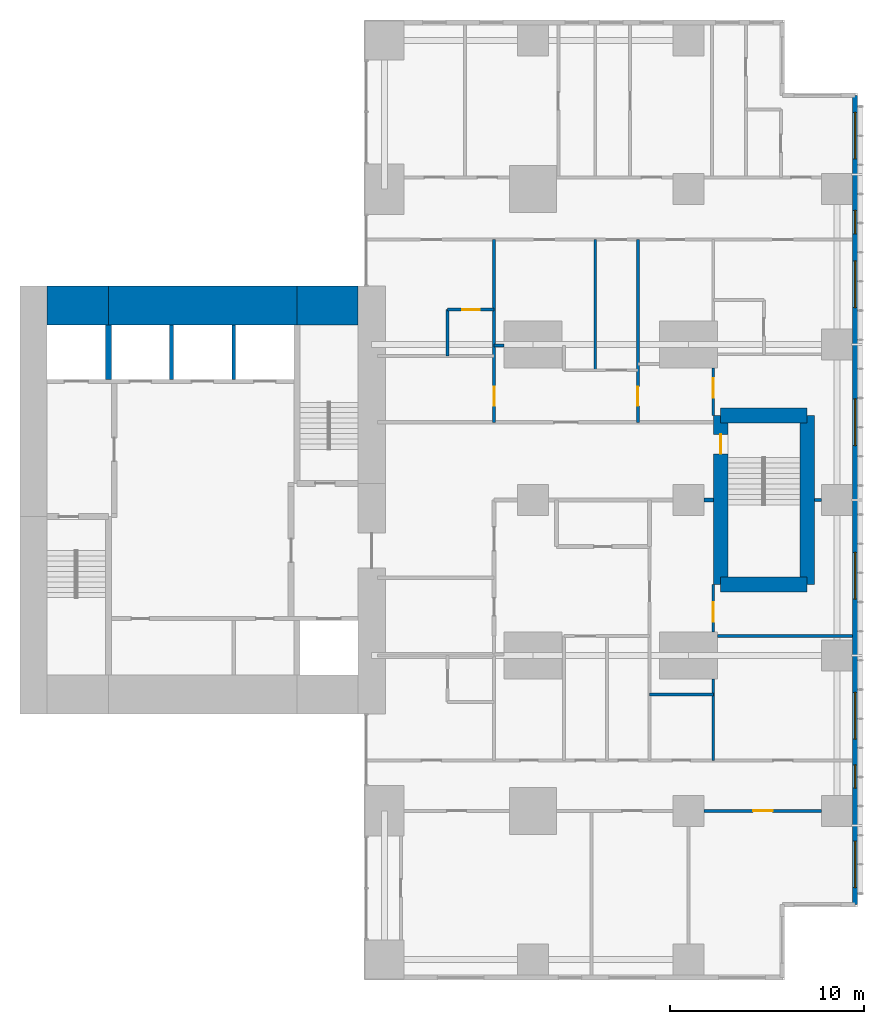
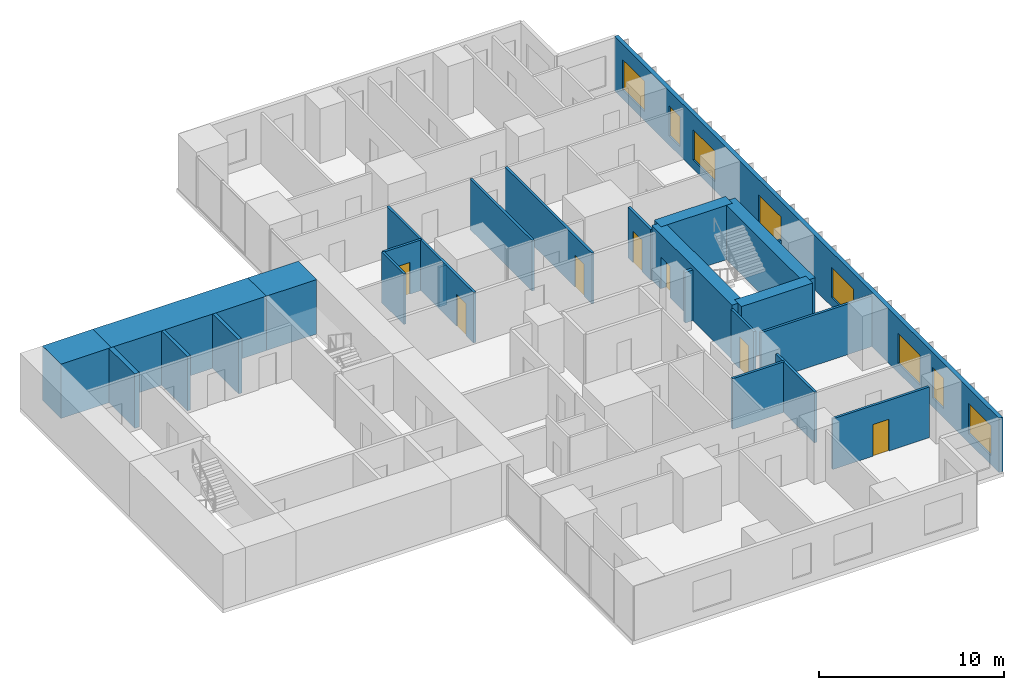
# One storey, part 9 of 12: 25 walls, 8 windows, 7 doors, 15 openings.
"""IFC4 building model written with IfcOpenShell, lengths in metres."""

from ifc_helpers import new_model, si_unit, direction, frame, frame_2d, origin, place, context, subcontext, project, spatial, rectangle, extrude, material, layer, layer_set, type_object, element, fill, save


model = new_model("IFC4")

# Units and contexts
model_context = context("Model", 3, precision=1e-05, world=origin(), true_north=direction((0.0, 1.0)))
body_context = subcontext(model_context, "Body", "Model", "MODEL_VIEW")
ifc_project = project(units=[si_unit("LENGTHUNIT", "METRE"), si_unit("AREAUNIT", "SQUARE_METRE"), si_unit("VOLUMEUNIT", "CUBIC_METRE"), si_unit("PLANEANGLEUNIT", "RADIAN"), si_unit("MASSUNIT", "GRAM", prefix="KILO")], contexts=[model_context])

# Site, building, storey
site_placement = place(None, origin())
site = spatial("IfcSite", under=ifc_project, at=site_placement, CompositionType="ELEMENT")
building_placement = place(site_placement, origin())
building = spatial("IfcBuilding", under=site, at=building_placement, Name="Cleftline Residences", CompositionType="ELEMENT")
storey_placement = place(building_placement, frame((0.0, 0.0, 270.0)))
storey = spatial("IfcBuildingStorey", under=building, at=storey_placement, Name="L71", CompositionType="ELEMENT", Elevation=270.0)

# Walls
ifc_material_1 = material(Name="Concrete B70", Category="concrete")
ifc_layer_1 = layer(ifc_material_1, 2.0)
ifc_layer_set_1 = layer_set([ifc_layer_1], Name="CORE WALL 2000")
wall_type_1 = type_object("IfcWallType", Name="CORE WALL 2000", PredefinedType="SHEAR", material=ifc_layer_set_1)
wall_1_placement = place(storey_placement, frame((25.0, 34.0, 0.0), z_axis=(0.0, 0.0, 1.0), x_axis=(1.0, 0.0, 0.0)))
element("IfcWall", 1, at=wall_1_placement, inside=storey, type_object=wall_type_1, Name="Core wall N1", PredefinedType="SHEAR", context=body_context, shape_type="SweptSolid", body=[
    extrude(rectangle(XDim=3.14990234375, YDim=2.0, at=frame_2d((1.574951171875, 0.0))), origin(), (0.0, 0.0, 1.0), 3.60009765625),
])
wall_2_placement = place(storey_placement, frame((28.14990234375, 34.0, 0.0), z_axis=(0.0, 0.0, 1.0), x_axis=(1.0, 0.0, 0.0)))
element("IfcWall", 2, at=wall_2_placement, inside=storey, type_object=wall_type_1, Name="Core wall N2", PredefinedType="SHEAR", context=body_context, shape_type="SweptSolid", body=[
    extrude(rectangle(XDim=9.7001953125, YDim=2.0, at=frame_2d((4.85009765625, 0.0))), origin(), (0.0, 0.0, 1.0), 3.60009765625),
])
wall_3_placement = place(storey_placement, frame((37.85009765625, 34.0, 0.0), z_axis=(0.0, 0.0, 1.0), x_axis=(1.0, 0.0, 0.0)))
element("IfcWall", 3, at=wall_3_placement, inside=storey, type_object=wall_type_1, Name="Core wall N3", PredefinedType="SHEAR", context=body_context, shape_type="SweptSolid", body=[
    extrude(rectangle(XDim=3.14990234375, YDim=2.0, at=frame_2d((1.574951171875, 0.0))), origin(), (0.0, 0.0, 1.0), 3.60009765625),
])
ifc_material_2 = material(Name="Concrete B70", Category="concrete")
ifc_layer_2 = layer(ifc_material_2, 0.300048828125)
ifc_layer_set_2 = layer_set([ifc_layer_2], Name="CORE WALL 300")
wall_type_2 = type_object("IfcWallType", Name="CORE WALL 300", PredefinedType="SHEAR", material=ifc_layer_set_2)
wall_4_placement = place(storey_placement, frame((28.14990234375, 30.199951171875, 0.0), z_axis=(0.0, 0.0, 1.0), x_axis=(0.0, 1.0, 0.0)))
element("IfcWall", 4, at=wall_4_placement, inside=storey, type_object=wall_type_2, Name="Lift shaft wall", PredefinedType="SHEAR", context=body_context, shape_type="SweptSolid", body=[
    extrude(rectangle(XDim=2.800048828125, YDim=0.300048828125, at=frame_2d((1.39990234375, 0.0))), origin(), (0.0, 0.0, 1.0), 3.60009765625),
])

# Wall, openings, windows
ifc_material_3 = material(Name="Rendered reinforced concrete blockwork", Category="masonry")
ifc_layer_3 = layer(ifc_material_3, 0.25)
ifc_layer_set_3 = layer_set([ifc_layer_3], Name="EXTERNAL WALL 250")
wall_type_3 = type_object("IfcWallType", Name="EXTERNAL WALL 250", PredefinedType="SOLIDWALL", material=ifc_layer_set_3)
wall_5_placement = place(storey_placement, frame((66.574951171875, 3.175048828125, 0.0), z_axis=(0.0, 0.0, 1.0), x_axis=(0.0, 1.0, 0.0)))
wall_5 = element("IfcWall", 5, at=wall_5_placement, inside=storey, type_object=wall_type_3, Name="External wall", PredefinedType="SOLIDWALL", context=body_context, shape_type="SweptSolid", body=[
    extrude(rectangle(XDim=41.64990234375, YDim=0.25, at=frame_2d((20.824951171875, 0.0))), origin(), (0.0, 0.0, 1.0), 3.60009765625),
])
opening_1_placement = place(wall_5_placement, frame((0.875, 0.0, 0.60009765625)))
opening_1 = element("IfcOpeningElement", 6, at=opening_1_placement, cuts=wall_5, Name="Opening W6", PredefinedType="OPENING", context=body_context, shape_type="SweptSolid", body=[
    extrude(rectangle(XDim=2.39990234375, YDim=2.0, at=frame_2d((1.199951171875, 1.0))), frame((0.0, 0.135009765625, 0.0), z_axis=(0.0, -1.0, 0.0), x_axis=(1.0, 0.0, 0.0)), (0.0, 0.0, 1.0), 0.27001953125),
])
opening_2_placement = place(wall_5_placement, frame((6.0, 0.0, 0.60009765625)))
opening_2 = element("IfcOpeningElement", 7, at=opening_2_placement, cuts=wall_5, Name="Opening W8", PredefinedType="OPENING", context=body_context, shape_type="SweptSolid", body=[
    extrude(rectangle(XDim=1.199951171875, YDim=2.0, at=frame_2d((0.60009765625, 1.0))), frame((0.0, 0.135009765625, 0.0), z_axis=(0.0, -1.0, 0.0), x_axis=(1.0, 0.0, 0.0)), (0.0, 0.0, 1.0), 0.27001953125),
])
opening_3_placement = place(wall_5_placement, frame((8.52490234375, 0.0, 0.60009765625)))
opening_3 = element("IfcOpeningElement", 8, at=opening_3_placement, cuts=wall_5, Name="Opening W6", PredefinedType="OPENING", context=body_context, shape_type="SweptSolid", body=[
    extrude(rectangle(XDim=2.39990234375, YDim=2.0, at=frame_2d((1.199951171875, 1.0))), frame((0.0, 0.135009765625, 0.0), z_axis=(0.0, -1.0, 0.0), x_axis=(1.0, 0.0, 0.0)), (0.0, 0.0, 1.0), 0.27001953125),
])
opening_4_placement = place(wall_5_placement, frame((15.72509765625, 0.0, 0.60009765625)))
opening_4 = element("IfcOpeningElement", 9, at=opening_4_placement, cuts=wall_5, Name="Opening W6", PredefinedType="OPENING", context=body_context, shape_type="SweptSolid", body=[
    extrude(rectangle(XDim=2.39990234375, YDim=2.0, at=frame_2d((1.199951171875, 1.0))), frame((0.0, 0.135009765625, 0.0), z_axis=(0.0, -1.0, 0.0), x_axis=(1.0, 0.0, 0.0)), (0.0, 0.0, 1.0), 0.27001953125),
])
opening_5_placement = place(wall_5_placement, frame((23.625, 0.0, 0.60009765625)))
opening_5 = element("IfcOpeningElement", 10, at=opening_5_placement, cuts=wall_5, Name="Opening W6", PredefinedType="OPENING", context=body_context, shape_type="SweptSolid", body=[
    extrude(rectangle(XDim=2.39990234375, YDim=2.0, at=frame_2d((1.199951171875, 1.0))), frame((0.0, 0.135009765625, 0.0), z_axis=(0.0, -1.0, 0.0), x_axis=(1.0, 0.0, 0.0)), (0.0, 0.0, 1.0), 0.27001953125),
])
opening_6_placement = place(wall_5_placement, frame((30.72509765625, 0.0, 0.60009765625)))
opening_6 = element("IfcOpeningElement", 11, at=opening_6_placement, cuts=wall_5, Name="Opening W6", PredefinedType="OPENING", context=body_context, shape_type="SweptSolid", body=[
    extrude(rectangle(XDim=2.39990234375, YDim=2.0, at=frame_2d((1.199951171875, 1.0))), frame((0.0, 0.135009765625, 0.0), z_axis=(0.0, -1.0, 0.0), x_axis=(1.0, 0.0, 0.0)), (0.0, 0.0, 1.0), 0.27001953125),
])
opening_7_placement = place(wall_5_placement, frame((34.52490234375, 0.0, 0.60009765625)))
opening_7 = element("IfcOpeningElement", 12, at=opening_7_placement, cuts=wall_5, Name="Opening W8", PredefinedType="OPENING", context=body_context, shape_type="SweptSolid", body=[
    extrude(rectangle(XDim=1.199951171875, YDim=2.0, at=frame_2d((0.60009765625, 1.0))), frame((0.0, 0.135009765625, 0.0), z_axis=(0.0, -1.0, 0.0), x_axis=(1.0, 0.0, 0.0)), (0.0, 0.0, 1.0), 0.27001953125),
])
opening_8_placement = place(wall_5_placement, frame((38.375, 0.0, 0.60009765625)))
opening_8 = element("IfcOpeningElement", 13, at=opening_8_placement, cuts=wall_5, Name="Opening W6", PredefinedType="OPENING", context=body_context, shape_type="SweptSolid", body=[
    extrude(rectangle(XDim=2.39990234375, YDim=2.0, at=frame_2d((1.199951171875, 1.0))), frame((0.0, 0.135009765625, 0.0), z_axis=(0.0, -1.0, 0.0), x_axis=(1.0, 0.0, 0.0)), (0.0, 0.0, 1.0), 0.27001953125),
])
ifc_material_4 = material(Name="Aluminium frame, clear double glazing", Category="aluminium")
window_type_1 = type_object("IfcWindowType", Name="WINDOW 1200X2000", PartitioningType="DOUBLE_PANEL_VERTICAL", PredefinedType="WINDOW", material=ifc_material_4)
window_1_placement = place(opening_2_placement, origin())
window_1 = element("IfcWindow", 14, at=window_1_placement, inside=storey, type_object=window_type_1, Name="Window", OverallHeight=2.0, OverallWidth=1.199951171875, PartitioningType="SINGLE_PANEL", PredefinedType="WINDOW", context=body_context, shape_type="SweptSolid", body=[
    extrude(rectangle(XDim=1.199951171875, YDim=2.0, at=frame_2d((0.60009765625, 1.0))), frame((0.0, 0.030029296875, 0.0), z_axis=(0.0, -1.0, 0.0), x_axis=(1.0, 0.0, 0.0)), (0.0, 0.0, 1.0), 0.06005859375),
])
fill(opening_2, window_1)
window_2_placement = place(opening_7_placement, origin())
window_2 = element("IfcWindow", 15, at=window_2_placement, inside=storey, type_object=window_type_1, Name="Window", OverallHeight=2.0, OverallWidth=1.199951171875, PartitioningType="SINGLE_PANEL", PredefinedType="WINDOW", context=body_context, shape_type="SweptSolid", body=[
    extrude(rectangle(XDim=1.199951171875, YDim=2.0, at=frame_2d((0.60009765625, 1.0))), frame((0.0, 0.030029296875, 0.0), z_axis=(0.0, -1.0, 0.0), x_axis=(1.0, 0.0, 0.0)), (0.0, 0.0, 1.0), 0.06005859375),
])
fill(opening_7, window_2)
ifc_material_5 = material(Name="Aluminium frame, clear double glazing", Category="aluminium")
window_type_2 = type_object("IfcWindowType", Name="WINDOW 2400X2000", PartitioningType="DOUBLE_PANEL_VERTICAL", PredefinedType="WINDOW", material=ifc_material_5)
window_3_placement = place(opening_1_placement, origin())
window_3 = element("IfcWindow", 16, at=window_3_placement, inside=storey, type_object=window_type_2, Name="Window", OverallHeight=2.0, OverallWidth=2.39990234375, PartitioningType="SINGLE_PANEL", PredefinedType="WINDOW", context=body_context, shape_type="SweptSolid", body=[
    extrude(rectangle(XDim=2.39990234375, YDim=2.0, at=frame_2d((1.199951171875, 1.0))), frame((0.0, 0.030029296875, 0.0), z_axis=(0.0, -1.0, 0.0), x_axis=(1.0, 0.0, 0.0)), (0.0, 0.0, 1.0), 0.06005859375),
])
fill(opening_1, window_3)
window_4_placement = place(opening_3_placement, origin())
window_4 = element("IfcWindow", 17, at=window_4_placement, inside=storey, type_object=window_type_2, Name="Window", OverallHeight=2.0, OverallWidth=2.39990234375, PartitioningType="SINGLE_PANEL", PredefinedType="WINDOW", context=body_context, shape_type="SweptSolid", body=[
    extrude(rectangle(XDim=2.39990234375, YDim=2.0, at=frame_2d((1.199951171875, 1.0))), frame((0.0, 0.030029296875, 0.0), z_axis=(0.0, -1.0, 0.0), x_axis=(1.0, 0.0, 0.0)), (0.0, 0.0, 1.0), 0.06005859375),
])
fill(opening_3, window_4)
window_5_placement = place(opening_4_placement, origin())
window_5 = element("IfcWindow", 18, at=window_5_placement, inside=storey, type_object=window_type_2, Name="Window", OverallHeight=2.0, OverallWidth=2.39990234375, PartitioningType="SINGLE_PANEL", PredefinedType="WINDOW", context=body_context, shape_type="SweptSolid", body=[
    extrude(rectangle(XDim=2.39990234375, YDim=2.0, at=frame_2d((1.199951171875, 1.0))), frame((0.0, 0.030029296875, 0.0), z_axis=(0.0, -1.0, 0.0), x_axis=(1.0, 0.0, 0.0)), (0.0, 0.0, 1.0), 0.06005859375),
])
fill(opening_4, window_5)
window_6_placement = place(opening_5_placement, origin())
window_6 = element("IfcWindow", 19, at=window_6_placement, inside=storey, type_object=window_type_2, Name="Window", OverallHeight=2.0, OverallWidth=2.39990234375, PartitioningType="SINGLE_PANEL", PredefinedType="WINDOW", context=body_context, shape_type="SweptSolid", body=[
    extrude(rectangle(XDim=2.39990234375, YDim=2.0, at=frame_2d((1.199951171875, 1.0))), frame((0.0, 0.030029296875, 0.0), z_axis=(0.0, -1.0, 0.0), x_axis=(1.0, 0.0, 0.0)), (0.0, 0.0, 1.0), 0.06005859375),
])
fill(opening_5, window_6)
window_7_placement = place(opening_6_placement, origin())
window_7 = element("IfcWindow", 20, at=window_7_placement, inside=storey, type_object=window_type_2, Name="Window", OverallHeight=2.0, OverallWidth=2.39990234375, PartitioningType="SINGLE_PANEL", PredefinedType="WINDOW", context=body_context, shape_type="SweptSolid", body=[
    extrude(rectangle(XDim=2.39990234375, YDim=2.0, at=frame_2d((1.199951171875, 1.0))), frame((0.0, 0.030029296875, 0.0), z_axis=(0.0, -1.0, 0.0), x_axis=(1.0, 0.0, 0.0)), (0.0, 0.0, 1.0), 0.06005859375),
])
fill(opening_6, window_7)
window_8_placement = place(opening_8_placement, origin())
window_8 = element("IfcWindow", 21, at=window_8_placement, inside=storey, type_object=window_type_2, Name="Window", OverallHeight=2.0, OverallWidth=2.39990234375, PartitioningType="SINGLE_PANEL", PredefinedType="WINDOW", context=body_context, shape_type="SweptSolid", body=[
    extrude(rectangle(XDim=2.39990234375, YDim=2.0, at=frame_2d((1.199951171875, 1.0))), frame((0.0, 0.030029296875, 0.0), z_axis=(0.0, -1.0, 0.0), x_axis=(1.0, 0.0, 0.0)), (0.0, 0.0, 1.0), 0.06005859375),
])
fill(opening_8, window_8)

# Wall
ifc_material_6 = material(Name="Concrete blockwork, fire rated", Category="masonry")
ifc_layer_4 = layer(ifc_material_6, 0.199951171875)
ifc_layer_set_4 = layer_set([ifc_layer_4], Name="FIRE WALL 200")
wall_type_4 = type_object("IfcWallType", Name="FIRE WALL 200", PredefinedType="PARTITIONING", material=ifc_layer_set_4)
wall_6_placement = place(storey_placement, frame((58.800048828125, 24.0, 0.0), z_axis=(0.0, 0.0, 1.0), x_axis=(1.0, 0.0, 0.0)))
element("IfcWall", 22, at=wall_6_placement, inside=storey, type_object=wall_type_4, Name="Fire separating wall", PredefinedType="PARTITIONING", context=body_context, shape_type="SweptSolid", body=[
    extrude(rectangle(XDim=0.474853515625, YDim=0.199951171875, at=frame_2d((0.2373046875, 0.0))), origin(), (0.0, 0.0, 1.0), 3.35009765625),
])

# Wall, opening, door
ifc_material_7 = material(Name="Gypsum board on steel studs", Category="steel")
ifc_layer_5 = layer(ifc_material_7, 0.14990234375)
ifc_layer_set_5 = layer_set([ifc_layer_5], Name="PARTITION 150")
wall_type_5 = type_object("IfcWallType", Name="PARTITION 150", PredefinedType="PARTITIONING", material=ifc_layer_set_5)
wall_7_placement = place(storey_placement, frame((58.800048828125, 8.0, 0.0), z_axis=(0.0, 0.0, 1.0), x_axis=(1.0, 0.0, 0.0)))
wall_7 = element("IfcWall", 23, at=wall_7_placement, inside=storey, type_object=wall_type_5, Name="Partition", PredefinedType="PARTITIONING", context=body_context, shape_type="SweptSolid", body=[
    extrude(rectangle(XDim=6.050048828125, YDim=0.14990234375, at=frame_2d((3.02490234375, 0.0))), origin(), (0.0, 0.0, 1.0), 3.35009765625),
])
opening_9_placement = place(wall_7_placement, frame((2.52490234375, 0.0, 0.0)))
opening_9 = element("IfcOpeningElement", 24, at=opening_9_placement, cuts=wall_7, Name="Opening D2", PredefinedType="OPENING", context=body_context, shape_type="SweptSolid", body=[
    extrude(rectangle(XDim=1.0, YDim=2.10009765625, at=frame_2d((0.5, 1.050048828125))), frame((0.0, 0.0849609375, 0.0), z_axis=(0.0, -1.0, 0.0), x_axis=(1.0, 0.0, 0.0)), (0.0, 0.0, 1.0), 0.169921875),
])
ifc_material_8 = material(Name="Timber veneer on solid core", Category="wood")
door_type_1 = type_object("IfcDoorType", Name="DOOR 1000X2100", OperationType="SINGLE_SWING_LEFT", PredefinedType="DOOR", material=ifc_material_8)
door_1_placement = place(opening_9_placement, origin())
door_1 = element("IfcDoor", 25, at=door_1_placement, inside=storey, type_object=door_type_1, Name="Door to formal dining room", OperationType="SINGLE_SWING_LEFT", OverallHeight=2.10009765625, OverallWidth=1.0, PredefinedType="DOOR", context=body_context, shape_type="SweptSolid", body=[
    extrude(rectangle(XDim=1.0, YDim=2.10009765625, at=frame_2d((0.5, 1.050048828125))), frame((0.0, 0.02490234375, 0.0), z_axis=(0.0, -1.0, 0.0), x_axis=(1.0, 0.0, 0.0)), (0.0, 0.0, 1.0), 0.050048828125),
])
fill(opening_9, door_1)

# Walls
wall_8_placement = place(storey_placement, frame((56.0, 14.0, 0.0), z_axis=(0.0, 0.0, 1.0), x_axis=(1.0, 0.0, 0.0)))
element("IfcWall", 26, at=wall_8_placement, inside=storey, type_object=wall_type_5, Name="Partition", PredefinedType="PARTITIONING", context=body_context, shape_type="SweptSolid", body=[
    extrude(rectangle(XDim=3.27490234375, YDim=0.14990234375, at=frame_2d((1.637451171875, 0.0))), origin(), (0.0, 0.0, 1.0), 3.35009765625),
])
wall_9_placement = place(storey_placement, frame((59.5, 17.0, 0.0), z_axis=(0.0, 0.0, 1.0), x_axis=(1.0, 0.0, 0.0)))
element("IfcWall", 27, at=wall_9_placement, inside=storey, type_object=wall_type_5, Name="Partition", PredefinedType="PARTITIONING", context=body_context, shape_type="SweptSolid", body=[
    extrude(rectangle(XDim=6.949951171875, YDim=0.14990234375, at=frame_2d((3.47509765625, 0.0))), origin(), (0.0, 0.0, 1.0), 3.35009765625),
])
wall_10_placement = place(storey_placement, frame((64.47509765625, 24.0, 0.0), z_axis=(0.0, 0.0, 1.0), x_axis=(1.0, 0.0, 0.0)))
element("IfcWall", 28, at=wall_10_placement, inside=storey, type_object=wall_type_5, Name="Partition", PredefinedType="PARTITIONING", context=body_context, shape_type="SweptSolid", body=[
    extrude(rectangle(XDim=0.375, YDim=0.14990234375, at=frame_2d((0.1875, 0.0))), origin(), (0.0, 0.0, 1.0), 3.35009765625),
])
wall_11_placement = place(storey_placement, frame((48.0, 31.949951171875, 0.0), z_axis=(0.0, 0.0, 1.0), x_axis=(1.0, 0.0, 0.0)))
element("IfcWall", 29, at=wall_11_placement, inside=storey, type_object=wall_type_5, Name="Partition", PredefinedType="PARTITIONING", context=body_context, shape_type="SweptSolid", body=[
    extrude(rectangle(XDim=0.5, YDim=0.14990234375, at=frame_2d((0.25, 0.0))), origin(), (0.0, 0.0, 1.0), 2.634033203125),
])

# Wall, opening, door
wall_12_placement = place(storey_placement, frame((45.60009765625, 33.800048828125, 0.0), z_axis=(0.0, 0.0, 1.0), x_axis=(1.0, 0.0, 0.0)))
wall_12 = element("IfcWall", 30, at=wall_12_placement, inside=storey, type_object=wall_type_5, Name="Partition", PredefinedType="PARTITIONING", context=body_context, shape_type="SweptSolid", body=[
    extrude(rectangle(XDim=2.39990234375, YDim=0.14990234375, at=frame_2d((1.199951171875, 0.0))), origin(), (0.0, 0.0, 1.0), 3.35009765625),
])
opening_10_placement = place(wall_12_placement, frame((0.75, 0.0, 0.0)))
opening_10 = element("IfcOpeningElement", 31, at=opening_10_placement, cuts=wall_12, Name="Opening D1", PredefinedType="OPENING", context=body_context, shape_type="SweptSolid", body=[
    extrude(rectangle(XDim=0.89990234375, YDim=2.10009765625, at=frame_2d((0.449951171875, 1.050048828125))), frame((0.0, 0.0849609375, 0.0), z_axis=(0.0, -1.0, 0.0), x_axis=(1.0, 0.0, 0.0)), (0.0, 0.0, 1.0), 0.169921875),
])
ifc_material_9 = material(Name="Timber veneer on solid core", Category="wood")
door_type_2 = type_object("IfcDoorType", Name="DOOR 900X2100", OperationType="SINGLE_SWING_LEFT", PredefinedType="DOOR", material=ifc_material_9)
door_2_placement = place(opening_10_placement, origin())
door_2 = element("IfcDoor", 32, at=door_2_placement, inside=storey, type_object=door_type_2, Name="Door to staff shower room", OperationType="SINGLE_SWING_LEFT", OverallHeight=2.10009765625, OverallWidth=0.89990234375, PredefinedType="DOOR", context=body_context, shape_type="SweptSolid", body=[
    extrude(rectangle(XDim=0.89990234375, YDim=2.10009765625, at=frame_2d((0.449951171875, 1.050048828125))), frame((0.0, 0.02490234375, 0.0), z_axis=(0.0, -1.0, 0.0), x_axis=(1.0, 0.0, 0.0)), (0.0, 0.0, 1.0), 0.050048828125),
])
fill(opening_10, door_2)

# Wall
wall_13_placement = place(storey_placement, frame((45.60009765625, 31.39990234375, 0.0), z_axis=(0.0, 0.0, 1.0), x_axis=(0.0, 1.0, 0.0)))
element("IfcWall", 33, at=wall_13_placement, inside=storey, type_object=wall_type_5, Name="Partition", PredefinedType="PARTITIONING", context=body_context, shape_type="SweptSolid", body=[
    extrude(rectangle(XDim=2.400146484375, YDim=0.14990234375, at=frame_2d((1.2001953125, 0.0))), origin(), (0.0, 0.0, 1.0), 3.35009765625),
])

# Wall, opening, door
wall_14_placement = place(storey_placement, frame((48.0, 28.0, 0.0), z_axis=(0.0, 0.0, 1.0), x_axis=(0.0, 1.0, 0.0)))
wall_14 = element("IfcWall", 34, at=wall_14_placement, inside=storey, type_object=wall_type_5, Name="Partition", PredefinedType="PARTITIONING", context=body_context, shape_type="SweptSolid", body=[
    extrude(rectangle(XDim=9.39990234375, YDim=0.14990234375, at=frame_2d((4.699951171875, 0.0))), origin(), (0.0, 0.0, 1.0), 3.35009765625),
])
opening_11_placement = place(wall_14_placement, frame((0.83740234375, 0.0, 0.0)))
opening_11 = element("IfcOpeningElement", 35, at=opening_11_placement, cuts=wall_14, Name="Opening D2", PredefinedType="OPENING", context=body_context, shape_type="SweptSolid", body=[
    extrude(rectangle(XDim=1.0, YDim=2.10009765625, at=frame_2d((0.5, 1.050048828125))), frame((0.0, 0.0849609375, 0.0), z_axis=(0.0, -1.0, 0.0), x_axis=(1.0, 0.0, 0.0)), (0.0, 0.0, 1.0), 0.169921875),
])
door_3_placement = place(opening_11_placement, origin())
door_3 = element("IfcDoor", 36, at=door_3_placement, inside=storey, type_object=door_type_1, Name="Door to morning kitchen", OperationType="SINGLE_SWING_RIGHT", OverallHeight=2.10009765625, OverallWidth=1.0, PredefinedType="DOOR", context=body_context, shape_type="SweptSolid", body=[
    extrude(rectangle(XDim=1.0, YDim=2.10009765625, at=frame_2d((0.5, 1.050048828125))), frame((0.0, 0.02490234375, 0.0), z_axis=(0.0, -1.0, 0.0), x_axis=(1.0, 0.0, 0.0)), (0.0, 0.0, 1.0), 0.050048828125),
])
fill(opening_11, door_3)

# Wall
wall_15_placement = place(storey_placement, frame((53.199951171875, 30.675048828125, 0.0), z_axis=(0.0, 0.0, 1.0), x_axis=(0.0, 1.0, 0.0)))
element("IfcWall", 37, at=wall_15_placement, inside=storey, type_object=wall_type_5, Name="Partition", PredefinedType="PARTITIONING", context=body_context, shape_type="SweptSolid", body=[
    extrude(rectangle(XDim=6.724853515625, YDim=0.14990234375, at=frame_2d((3.3623046875, 0.0))), origin(), (0.0, 0.0, 1.0), 3.35009765625),
])

# Wall, opening, door
wall_16_placement = place(storey_placement, frame((55.39990234375, 28.0, 0.0), z_axis=(0.0, 0.0, 1.0), x_axis=(0.0, 1.0, 0.0)))
wall_16 = element("IfcWall", 38, at=wall_16_placement, inside=storey, type_object=wall_type_5, Name="Partition", PredefinedType="PARTITIONING", context=body_context, shape_type="SweptSolid", body=[
    extrude(rectangle(XDim=9.39990234375, YDim=0.14990234375, at=frame_2d((4.699951171875, 0.0))), origin(), (0.0, 0.0, 1.0), 3.35009765625),
])
opening_12_placement = place(wall_16_placement, frame((0.83740234375, 0.0, 0.0)))
opening_12 = element("IfcOpeningElement", 39, at=opening_12_placement, cuts=wall_16, Name="Opening D2F30", PredefinedType="OPENING", context=body_context, shape_type="SweptSolid", body=[
    extrude(rectangle(XDim=1.0, YDim=2.10009765625, at=frame_2d((0.5, 1.050048828125))), frame((0.0, 0.0849609375, 0.0), z_axis=(0.0, -1.0, 0.0), x_axis=(1.0, 0.0, 0.0)), (0.0, 0.0, 1.0), 0.169921875),
])
ifc_material_10 = material(Name="Timber veneer on solid core", Category="wood")
door_type_3 = type_object("IfcDoorType", Name="DOOR 1000X2100 EI 30", OperationType="SINGLE_SWING_LEFT", PredefinedType="DOOR", material=ifc_material_10)
door_4_placement = place(opening_12_placement, origin())
door_4 = element("IfcDoor", 40, at=door_4_placement, inside=storey, type_object=door_type_3, Name="Door to residence lobby (service)", OperationType="SINGLE_SWING_RIGHT", OverallHeight=2.10009765625, OverallWidth=1.0, PredefinedType="DOOR", context=body_context, shape_type="SweptSolid", body=[
    extrude(rectangle(XDim=1.0, YDim=2.10009765625, at=frame_2d((0.5, 1.050048828125))), frame((0.0, 0.02490234375, 0.0), z_axis=(0.0, -1.0, 0.0), x_axis=(1.0, 0.0, 0.0)), (0.0, 0.0, 1.0), 0.050048828125),
])
fill(opening_12, door_4)

# Wall
wall_17_placement = place(storey_placement, frame((59.27490234375, 10.60009765625, 0.0), z_axis=(0.0, 0.0, 1.0), x_axis=(0.0, 1.0, 0.0)))
element("IfcWall", 41, at=wall_17_placement, inside=storey, type_object=wall_type_5, Name="Partition", PredefinedType="PARTITIONING", context=body_context, shape_type="SweptSolid", body=[
    extrude(rectangle(XDim=4.199951171875, YDim=0.14990234375, at=frame_2d((2.10009765625, 0.0))), origin(), (0.0, 0.0, 1.0), 3.35009765625),
])

# Wall, opening, door
wall_18_placement = place(storey_placement, frame((59.27490234375, 17.199951171875, 0.0), z_axis=(0.0, 0.0, 1.0), x_axis=(0.0, 1.0, 0.0)))
wall_18 = element("IfcWall", 42, at=wall_18_placement, inside=storey, type_object=wall_type_5, Name="Partition", PredefinedType="PARTITIONING", context=body_context, shape_type="SweptSolid", body=[
    extrude(rectangle(XDim=2.449951171875, YDim=0.14990234375, at=frame_2d((1.22509765625, 0.0))), origin(), (0.0, 0.0, 1.0), 3.35009765625),
])
opening_13_placement = place(wall_18_placement, frame((0.53759765625, 0.0, 0.0)))
opening_13 = element("IfcOpeningElement", 43, at=opening_13_placement, cuts=wall_18, Name="Opening D2", PredefinedType="OPENING", context=body_context, shape_type="SweptSolid", body=[
    extrude(rectangle(XDim=1.0, YDim=2.10009765625, at=frame_2d((0.5, 1.050048828125))), frame((0.0, 0.0849609375, 0.0), z_axis=(0.0, -1.0, 0.0), x_axis=(1.0, 0.0, 0.0)), (0.0, 0.0, 1.0), 0.169921875),
])
door_5_placement = place(opening_13_placement, origin())
door_5 = element("IfcDoor", 44, at=door_5_placement, inside=storey, type_object=door_type_1, Name="Door to winter garden", OperationType="SINGLE_SWING_RIGHT", OverallHeight=2.10009765625, OverallWidth=1.0, PredefinedType="DOOR", context=body_context, shape_type="SweptSolid", body=[
    extrude(rectangle(XDim=1.0, YDim=2.10009765625, at=frame_2d((0.5, 1.050048828125))), frame((0.0, 0.02490234375, 0.0), z_axis=(0.0, -1.0, 0.0), x_axis=(1.0, 0.0, 0.0)), (0.0, 0.0, 1.0), 0.050048828125),
])
fill(opening_13, door_5)

wall_19_placement = place(storey_placement, frame((59.27490234375, 28.35009765625, 0.0), z_axis=(0.0, 0.0, 1.0), x_axis=(0.0, 1.0, 0.0)))
wall_19 = element("IfcWall", 45, at=wall_19_placement, inside=storey, type_object=wall_type_5, Name="Partition", PredefinedType="PARTITIONING", context=body_context, shape_type="SweptSolid", body=[
    extrude(rectangle(XDim=2.449951171875, YDim=0.14990234375, at=frame_2d((1.22509765625, 0.0))), origin(), (0.0, 0.0, 1.0), 3.35009765625),
])
opening_14_placement = place(wall_19_placement, frame((0.91259765625, 0.0, 0.0)))
opening_14 = element("IfcOpeningElement", 46, at=opening_14_placement, cuts=wall_19, Name="Opening D2", PredefinedType="OPENING", context=body_context, shape_type="SweptSolid", body=[
    extrude(rectangle(XDim=1.0, YDim=2.10009765625, at=frame_2d((0.5, 1.050048828125))), frame((0.0, 0.0849609375, 0.0), z_axis=(0.0, -1.0, 0.0), x_axis=(1.0, 0.0, 0.0)), (0.0, 0.0, 1.0), 0.169921875),
])
door_6_placement = place(opening_14_placement, origin())
door_6 = element("IfcDoor", 47, at=door_6_placement, inside=storey, type_object=door_type_1, Name="Door to winter garden", OperationType="SINGLE_SWING_LEFT", OverallHeight=2.10009765625, OverallWidth=1.0, PredefinedType="DOOR", context=body_context, shape_type="SweptSolid", body=[
    extrude(rectangle(XDim=1.0, YDim=2.10009765625, at=frame_2d((0.5, 1.050048828125))), frame((0.0, 0.02490234375, 0.0), z_axis=(0.0, -1.0, 0.0), x_axis=(1.0, 0.0, 0.0)), (0.0, 0.0, 1.0), 0.050048828125),
])
fill(opening_14, door_6)

# Walls
ifc_material_11 = material(Name="Concrete blockwork, fire rated", Category="masonry")
ifc_layer_6 = layer(ifc_material_11, 0.199951171875)
ifc_layer_set_6 = layer_set([ifc_layer_6], Name="SHAFT WALL 200")
wall_type_6 = type_object("IfcWallType", Name="SHAFT WALL 200", PredefinedType="PARTITIONING", material=ifc_layer_set_6)
for number, where, z_axis, x_axis, name in (
    (48, (31.39990234375, 30.199951171875, 0.0), (0.0, 0.0, 1.0), (0.0, 1.0, 0.0), "Lift shaft wall"),
    (49, (34.60009765625, 30.199951171875, 0.0), (0.0, 0.0, 1.0), (0.0, 1.0, 0.0), "Lift shaft wall"),
):
    element("IfcWall", number, at=place(storey_placement, frame(where, z_axis=z_axis, x_axis=x_axis)), inside=storey, type_object=wall_type_6, Name=name, PredefinedType="PARTITIONING", context=body_context, shape_type="SweptSolid", body=[
        extrude(rectangle(XDim=2.800048828125, YDim=0.199951171875, at=frame_2d((1.39990234375, 0.0))), origin(), (0.0, 0.0, 1.0), 3.60009765625),
    ])
ifc_material_12 = material(Name="Concrete B70", Category="concrete")
ifc_layer_7 = layer(ifc_material_12, 0.75)
ifc_layer_set_7 = layer_set([ifc_layer_7], Name="SHEAR WALL 750")
wall_type_7 = type_object("IfcWallType", Name="SHEAR WALL 750", PredefinedType="SHEAR", material=ifc_layer_set_7)
wall_20_placement = place(storey_placement, frame((59.64990234375, 19.64990234375, 0.0), z_axis=(0.0, 0.0, 1.0), x_axis=(1.0, 0.0, 0.0)))
element("IfcWall", 50, at=wall_20_placement, inside=storey, type_object=wall_type_7, Name="Wing shear wall", PredefinedType="SHEAR", context=body_context, shape_type="SweptSolid", body=[
    extrude(rectangle(XDim=4.4501953125, YDim=0.75, at=frame_2d((2.22509765625, 0.0))), origin(), (0.0, 0.0, 1.0), 3.60009765625),
])
wall_21_placement = place(storey_placement, frame((64.10009765625, 19.64990234375, 0.0), z_axis=(0.0, 0.0, 1.0), x_axis=(0.0, 1.0, 0.0)))
element("IfcWall", 51, at=wall_21_placement, inside=storey, type_object=wall_type_7, Name="Wing shear wall", PredefinedType="SHEAR", context=body_context, shape_type="SweptSolid", body=[
    extrude(rectangle(XDim=8.7001953125, YDim=0.75, at=frame_2d((4.35009765625, 0.0))), origin(), (0.0, 0.0, 1.0), 3.60009765625),
])
wall_22_placement = place(storey_placement, frame((64.10009765625, 28.35009765625, 0.0), z_axis=(0.0, 0.0, 1.0), x_axis=(-1.0, 0.0, 0.0)))
element("IfcWall", 52, at=wall_22_placement, inside=storey, type_object=wall_type_7, Name="Wing shear wall", PredefinedType="SHEAR", context=body_context, shape_type="SweptSolid", body=[
    extrude(rectangle(XDim=4.4501953125, YDim=0.75, at=frame_2d((2.22509765625, 0.0))), origin(), (0.0, 0.0, 1.0), 3.60009765625),
])

# Wall, opening, door
wall_23_placement = place(storey_placement, frame((59.64990234375, 28.35009765625, 0.0), z_axis=(0.0, 0.0, 1.0), x_axis=(0.0, -1.0, 0.0)))
wall_23 = element("IfcWall", 53, at=wall_23_placement, inside=storey, type_object=wall_type_7, Name="Wing shear wall", PredefinedType="SHEAR", context=body_context, shape_type="SweptSolid", body=[
    extrude(rectangle(XDim=8.7001953125, YDim=0.75, at=frame_2d((4.35009765625, 0.0))), origin(), (0.0, 0.0, 1.0), 3.60009765625),
])
opening_15_placement = place(wall_23_placement, frame((0.97509765625, 0.0, 0.0)))
opening_15 = element("IfcOpeningElement", 54, at=opening_15_placement, cuts=wall_23, Name="Opening D5", PredefinedType="OPENING", context=body_context, shape_type="SweptSolid", body=[
    extrude(rectangle(XDim=1.0, YDim=2.10009765625, at=frame_2d((0.5, 1.050048828125))), frame((0.0, 0.385009765625, 0.0), z_axis=(0.0, -1.0, 0.0), x_axis=(1.0, 0.0, 0.0)), (0.0, 0.0, 1.0), 0.77001953125),
])
ifc_material_13 = material(Name="Steel", Category="steel")
door_type_4 = type_object("IfcDoorType", Name="STAIR DOOR 1000X2100", OperationType="SINGLE_SWING_LEFT", PredefinedType="DOOR", material=ifc_material_13)
door_7_placement = place(opening_15_placement, origin())
door_7 = element("IfcDoor", 55, at=door_7_placement, inside=storey, type_object=door_type_4, Name="Stair E door", OperationType="SINGLE_SWING_RIGHT", OverallHeight=2.10009765625, OverallWidth=1.0, PredefinedType="DOOR", context=body_context, shape_type="SweptSolid", body=[
    extrude(rectangle(XDim=1.0, YDim=2.10009765625, at=frame_2d((0.5, 1.050048828125))), frame((0.0, 0.02490234375, 0.0), z_axis=(0.0, -1.0, 0.0), x_axis=(1.0, 0.0, 0.0)), (0.0, 0.0, 1.0), 0.050048828125),
])
fill(opening_15, door_7)

save(model, "model.ifc")
